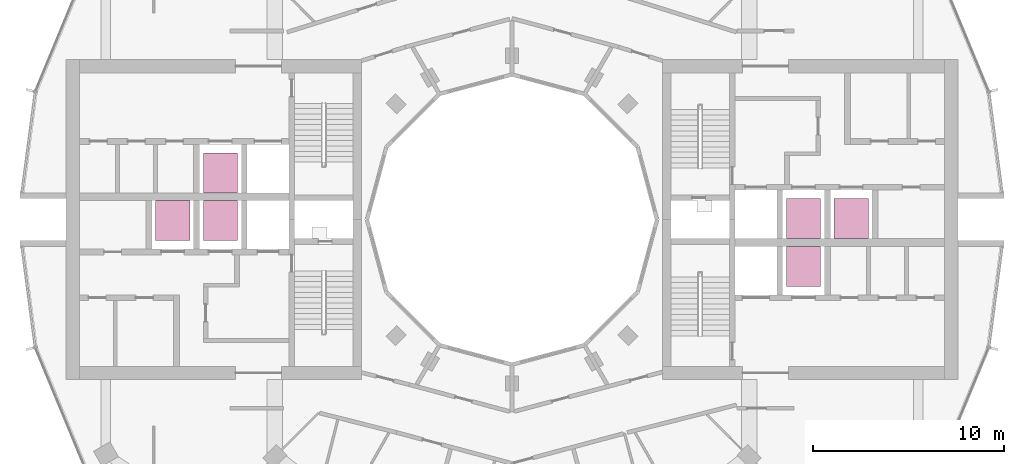
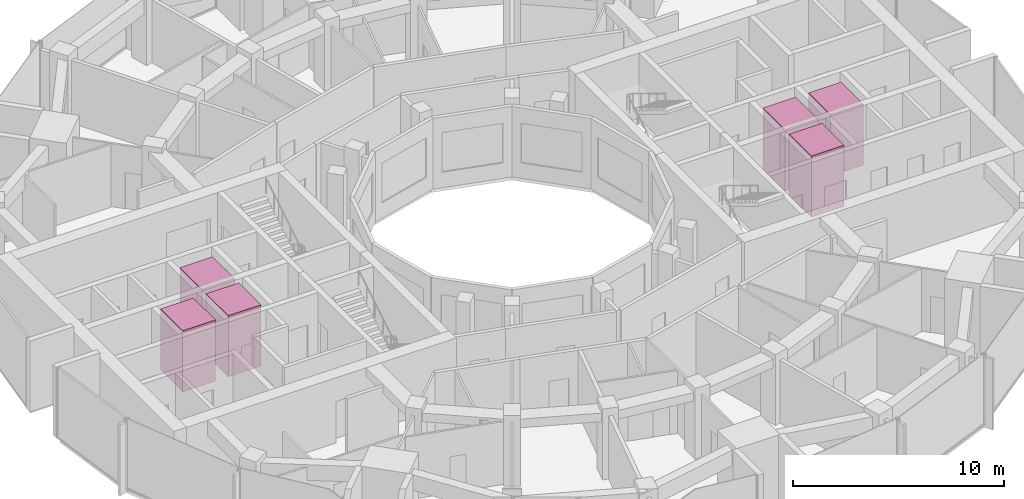
# One storey, part 15 of 15: 6 transport elements.
"""IFC4 building model written with IfcOpenShell, lengths in metres."""

import ifcopenshell
import ifcopenshell.guid

model = None  # the IFC model being written
_history = None  # IfcOwnerHistory: only IFC2X3 demands one
_inside = {}  # id of a spatial element -> (the spatial element, [elements in it])
_under = {}  # id of a project, library or spatial element -> (it, [spatial elements below it])
_declared = {}  # id of a project -> (the project, [libraries it declares])
_typed = {}  # id of a type object -> (the type object, [elements of that type])
_made_of = {}  # id of a material, layer set ... -> (it, [elements and type objects made of it])


def new_model(schema):
    """Start an empty IFC model of exactly this schema.

    Asked for "IFC4X3", IfcOpenShell would pick the latest addendum, in which some entities
    have other attributes; the version numbers below select the first issue.
    IFC2X3 requires an IfcOwnerHistory on every rooted entity: one is made here for all.
    """
    global model, _history
    if schema == "IFC4X3":
        model = ifcopenshell.file(schema_version=(4, 3, 0, 0))
    else:
        model = ifcopenshell.file(schema=schema)
    _inside.clear()
    _under.clear()
    _declared.clear()
    _typed.clear()
    _made_of.clear()
    _history = None
    if model.schema == "IFC2X3":
        org = make("IfcOrganization", Name="unknown")
        user = make(
            "IfcPersonAndOrganization",
            ThePerson=make("IfcPerson", FamilyName="unknown"),
            TheOrganization=org,
        )
        app = make(
            "IfcApplication",
            ApplicationDeveloper=org,
            Version="unknown",
            ApplicationFullName="unknown",
            ApplicationIdentifier="unknown",
        )
        _history = make(
            "IfcOwnerHistory",
            OwningUser=user,
            OwningApplication=app,
            ChangeAction="ADDED",
            CreationDate=0,
        )
    return model


def make(cls, **values):
    """One entity of the class cls with the attributes given. An attribute that is None is left unset."""
    return model.create_entity(
        cls, **{name: value for name, value in values.items() if value is not None}
    )


def rooted(cls, **values):
    """An entity with a GlobalId (a new one), such as an element, a storey or a relation."""
    return make(cls, GlobalId=ifcopenshell.guid.new(), OwnerHistory=_history, **values)


def si_unit(unit_type, name, prefix=None):
    """IfcSIUnit, for example si_unit("LENGTHUNIT", "METRE", prefix="MILLI")."""
    return make("IfcSIUnit", UnitType=unit_type, Prefix=prefix, Name=name)


def assignment(units):
    """IfcUnitAssignment: the units of a project."""
    return None if units is None else make("IfcUnitAssignment", Units=units)


def point(xyz):
    """IfcCartesianPoint."""
    return None if xyz is None else make("IfcCartesianPoint", Coordinates=xyz)


def direction(xyz):
    """IfcDirection."""
    return None if xyz is None else make("IfcDirection", DirectionRatios=xyz)


def frame(location, z_axis=None, x_axis=None):
    """IfcAxis2Placement3D, a coordinate frame: its origin and axes. An axis left out is left unset."""
    return make(
        "IfcAxis2Placement3D",
        Location=point(location),
        Axis=direction(z_axis),
        RefDirection=direction(x_axis),
    )


def frame_2d(location, x_axis=None):
    """IfcAxis2Placement2D, a coordinate frame in the plane: its origin and x axis."""
    return make(
        "IfcAxis2Placement2D", Location=point(location), RefDirection=direction(x_axis)
    )


def origin():
    """The frame at (0, 0, 0) with its axes left unset."""
    return frame((0.0, 0.0, 0.0))


def origin_2d():
    """The frame at (0, 0) in the plane with its x axis left unset."""
    return frame_2d((0.0, 0.0))


def place(relative_to, where):
    """IfcLocalPlacement: puts the frame where relative to a parent placement (None: the world)."""
    return make(
        "IfcLocalPlacement", PlacementRelTo=relative_to, RelativePlacement=where
    )


def context(
    kind, dimensions, precision=None, world=None, true_north=None, identifier=None
):
    """IfcGeometricRepresentationContext, for example the 3D "Model" context."""
    return make(
        "IfcGeometricRepresentationContext",
        ContextIdentifier=identifier,
        ContextType=kind,
        CoordinateSpaceDimension=dimensions,
        Precision=precision,
        WorldCoordinateSystem=world,
        TrueNorth=true_north,
    )


def subcontext(parent, identifier, kind, view, scale=None):
    """IfcGeometricRepresentationSubContext, for example "Body" below "Model"."""
    return make(
        "IfcGeometricRepresentationSubContext",
        ContextIdentifier=identifier,
        ContextType=kind,
        ParentContext=parent,
        TargetScale=scale,
        TargetView=view,
    )


def project(units=None, contexts=None):
    """IfcProject with its units and contexts."""
    return rooted(
        "IfcProject",
        Name="project",
        RepresentationContexts=contexts,
        UnitsInContext=assignment(units),
    )


def spatial(cls, under=None, at=None, **own):
    """A site, building, storey or space (cls), placed at a placement, below another one or the project."""
    s = rooted(cls, ObjectPlacement=at, **own)
    if under is not None:
        _under.setdefault(under.id(), (under, []))[1].append(s)
    return s


def profile(cls, at=None, kind="AREA", **sizes):
    """A parametric profile (cls). Its sizes go by their IFC names, for example OverallWidth=200.0."""
    return make(cls, ProfileType=kind, Position=at, **sizes)


def rectangle(**sizes):
    """IfcRectangleProfileDef."""
    return profile("IfcRectangleProfileDef", **sizes)


def extrude(swept, where, along, depth):
    """IfcExtrudedAreaSolid: the profile swept, set in the frame where, extruded along a direction by depth."""
    return make(
        "IfcExtrudedAreaSolid",
        SweptArea=swept,
        Position=where,
        ExtrudedDirection=direction(along),
        Depth=depth,
    )


def shape(context_of_items, identifier, shape_type, items):
    """IfcShapeRepresentation: the items that make up one representation, for example the "Body"."""
    return make(
        "IfcShapeRepresentation",
        ContextOfItems=context_of_items,
        RepresentationIdentifier=identifier,
        RepresentationType=shape_type,
        Items=items,
    )


def material(Name=None, Category=None):
    """IfcMaterial."""
    return make("IfcMaterial", Name=Name, Category=Category)


def made_of(thing, what):
    """Note that an element or type object is made of a material, layer set ...; save() writes the relation."""
    if what is not None:
        _made_of.setdefault(what.id(), (what, []))[1].append(thing)
    return thing


def type_object(cls, material=None, **own):
    """A type object (cls), such as IfcWallType, which elements share."""
    return made_of(rooted(cls, **own), material)


def element(
    cls,
    number,
    at=None,
    inside=None,
    cuts=None,
    type_object=None,
    material=None,
    context=None,
    identifier="Body",
    shape_type=None,
    held_by="IfcProductDefinitionShape",
    body=None,
    shapes=None,
    **own,
):
    """One element of the class cls, such as IfcWall. Its Tag is "e" and its number.

    at: its placement. inside: the storey or other place that contains it. cuts: it is an
    opening in that element (IfcRelVoidsElement). A single representation is given by context,
    identifier, shape_type and body (its items); several are given by shapes. held_by: the class
    of the entity that holds the representations. save() writes the other relations.
    """
    e = rooted(cls, Tag="e%d" % number, ObjectPlacement=at, **own)
    if body is not None:
        shapes = [shape(context, identifier, shape_type, body)]
    if shapes is not None:
        e.Representation = make(held_by, Representations=shapes)
    if inside is not None:
        _inside.setdefault(inside.id(), (inside, []))[1].append(e)
    if cuts is not None:
        rooted(
            "IfcRelVoidsElement", RelatingBuildingElement=cuts, RelatedOpeningElement=e
        )
    if type_object is not None:
        _typed.setdefault(type_object.id(), (type_object, []))[1].append(e)
    return made_of(e, material)


def aggregate(whole, parts):
    """IfcRelAggregates: a whole, such as a stair, and the parts it consists of."""
    return rooted("IfcRelAggregates", RelatingObject=whole, RelatedObjects=parts)


def save(model, path):
    """Write the relations noted so far, then the file.

    IfcRelAggregates (storeys below a building ...), IfcRelContainedInSpatialStructure (elements
    in a storey), IfcRelDefinesByType, IfcRelAssociatesMaterial and IfcRelDeclares: one each for
    every whole, place, type object, material and project.
    """
    for whole, parts in _under.values():
        aggregate(whole, parts)
    for where, things in _inside.values():
        rooted(
            "IfcRelContainedInSpatialStructure",
            RelatedElements=things,
            RelatingStructure=where,
        )
    for kind, things in _typed.values():
        rooted("IfcRelDefinesByType", RelatedObjects=things, RelatingType=kind)
    for what, things in _made_of.values():
        rooted("IfcRelAssociatesMaterial", RelatedObjects=things, RelatingMaterial=what)
    for by, libraries in _declared.values():
        rooted("IfcRelDeclares", RelatingContext=by, RelatedDefinitions=libraries)
    model.write(path)


model = new_model("IFC4")

# Units and contexts
model_context = context("Model", 3, precision=1e-05, world=origin(), true_north=direction((0.0, 1.0)))
body_context = subcontext(model_context, "Body", "Model", "MODEL_VIEW")
ifc_project = project(units=[si_unit("LENGTHUNIT", "METRE"), si_unit("AREAUNIT", "SQUARE_METRE"), si_unit("VOLUMEUNIT", "CUBIC_METRE"), si_unit("PLANEANGLEUNIT", "RADIAN"), si_unit("MASSUNIT", "GRAM", prefix="KILO")], contexts=[model_context])

# Site, building, storey
site_placement = place(None, origin())
site = spatial("IfcSite", under=ifc_project, at=site_placement, CompositionType="ELEMENT")
building_placement = place(site_placement, origin())
building = spatial("IfcBuilding", under=site, at=building_placement, Name="Torre Brocal", CompositionType="ELEMENT")
storey_placement = place(building_placement, frame((0.0, 0.0, 190.5)))
storey = spatial("IfcBuildingStorey", under=building, at=storey_placement, Name="L44", CompositionType="ELEMENT", Elevation=190.5)

# Transport elements
ifc_material = material(Name="Stainless steel AISI 316", Category="steel")
transport_element_type = type_object("IfcTransportElementType", Name="PASSENGER LIFT", PredefinedType="ELEVATOR", material=ifc_material)
for number, where, z_axis, x_axis, name in (
    (1, (95.300048828125, 75.050048828125, 0.0), (0.0, 0.0, 1.0), (1.0, 0.0, 0.0), "HIGH RISE LIFT E-HR1"),
    (2, (95.300048828125, 72.550048828125, 0.0), (0.0, 0.0, 1.0), (1.0, 0.0, 0.0), "HIGH RISE LIFT E-HR2"),
    (3, (97.800048828125, 75.050048828125, 0.0), (0.0, 0.0, 1.0), (1.0, 0.0, 0.0), "HIGH RISE LIFT E-HR3"),
    (4, (64.699951171875, 74.949951171875, 0.0), (0.0, 0.0, 1.0), (1.0, 0.0, 0.0), "HIGH RISE LIFT W-HR1"),
    (5, (64.699951171875, 77.449951171875, 0.0), (0.0, 0.0, 1.0), (1.0, 0.0, 0.0), "HIGH RISE LIFT W-HR2"),
    (6, (62.199951171875, 74.949951171875, 0.0), (0.0, 0.0, 1.0), (1.0, 0.0, 0.0), "HIGH RISE LIFT W-HR3"),
):
    element("IfcTransportElement", number, at=place(storey_placement, frame(where, z_axis=z_axis, x_axis=x_axis)), inside=storey, type_object=transport_element_type, Name=name, PredefinedType="ELEVATOR", context=body_context, shape_type="SweptSolid", body=[
        extrude(rectangle(XDim=1.800048828125, YDim=2.10009765625, at=origin_2d()), origin(), (0.0, 0.0, 1.0), 3.550048828125),
    ])

save(model, "model.ifc")
